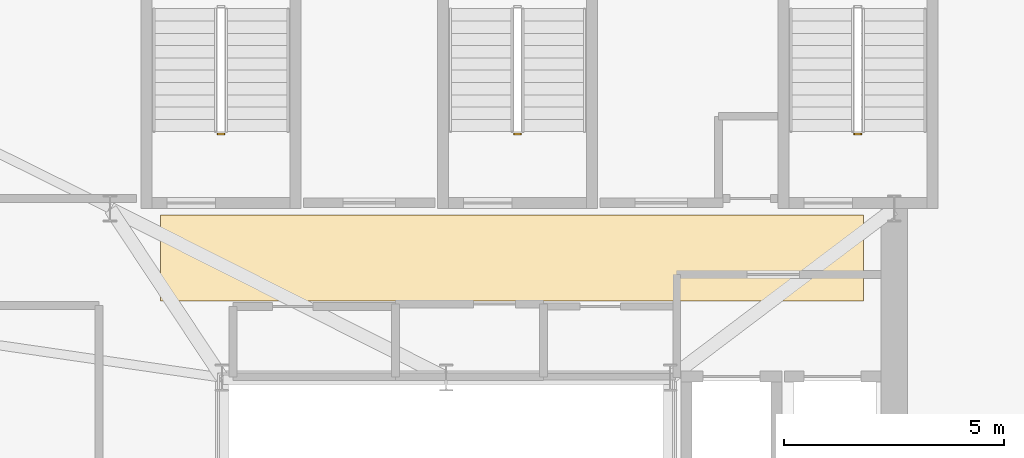
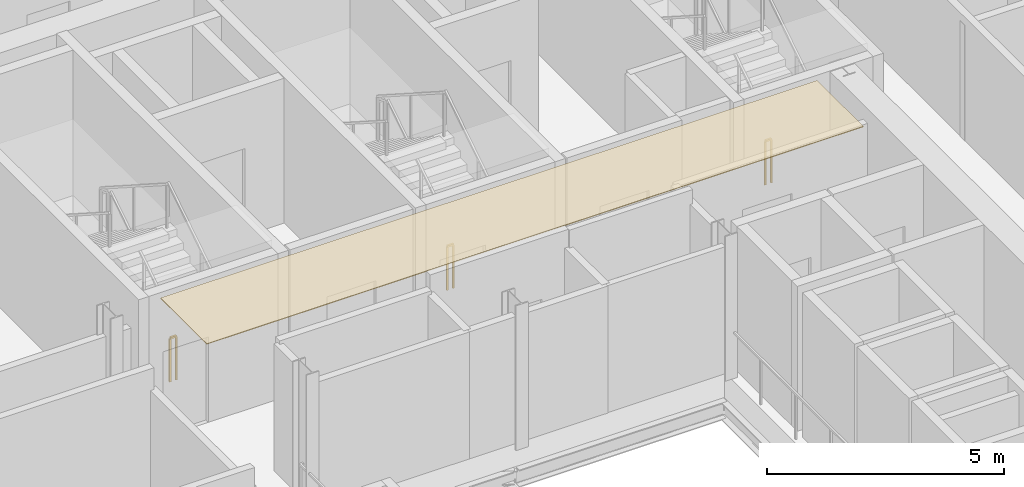
# One storey, part 13 of 15: 3 railings, 1 covering.
"""IFC4 building model written with IfcOpenShell, lengths in metres."""

import ifcopenshell
import ifcopenshell.guid

model = None  # the IFC model being written
_history = None  # IfcOwnerHistory: only IFC2X3 demands one
_inside = {}  # id of a spatial element -> (the spatial element, [elements in it])
_under = {}  # id of a project, library or spatial element -> (it, [spatial elements below it])
_declared = {}  # id of a project -> (the project, [libraries it declares])
_typed = {}  # id of a type object -> (the type object, [elements of that type])
_made_of = {}  # id of a material, layer set ... -> (it, [elements and type objects made of it])


def new_model(schema):
    """Start an empty IFC model of exactly this schema.

    Asked for "IFC4X3", IfcOpenShell would pick the latest addendum, in which some entities
    have other attributes; the version numbers below select the first issue.
    IFC2X3 requires an IfcOwnerHistory on every rooted entity: one is made here for all.
    """
    global model, _history
    if schema == "IFC4X3":
        model = ifcopenshell.file(schema_version=(4, 3, 0, 0))
    else:
        model = ifcopenshell.file(schema=schema)
    _inside.clear()
    _under.clear()
    _declared.clear()
    _typed.clear()
    _made_of.clear()
    _history = None
    if model.schema == "IFC2X3":
        org = make("IfcOrganization", Name="unknown")
        user = make(
            "IfcPersonAndOrganization",
            ThePerson=make("IfcPerson", FamilyName="unknown"),
            TheOrganization=org,
        )
        app = make(
            "IfcApplication",
            ApplicationDeveloper=org,
            Version="unknown",
            ApplicationFullName="unknown",
            ApplicationIdentifier="unknown",
        )
        _history = make(
            "IfcOwnerHistory",
            OwningUser=user,
            OwningApplication=app,
            ChangeAction="ADDED",
            CreationDate=0,
        )
    return model


def make(cls, **values):
    """One entity of the class cls with the attributes given. An attribute that is None is left unset."""
    return model.create_entity(
        cls, **{name: value for name, value in values.items() if value is not None}
    )


def rooted(cls, **values):
    """An entity with a GlobalId (a new one), such as an element, a storey or a relation."""
    return make(cls, GlobalId=ifcopenshell.guid.new(), OwnerHistory=_history, **values)


def si_unit(unit_type, name, prefix=None):
    """IfcSIUnit, for example si_unit("LENGTHUNIT", "METRE", prefix="MILLI")."""
    return make("IfcSIUnit", UnitType=unit_type, Prefix=prefix, Name=name)


def assignment(units):
    """IfcUnitAssignment: the units of a project."""
    return None if units is None else make("IfcUnitAssignment", Units=units)


def point(xyz):
    """IfcCartesianPoint."""
    return None if xyz is None else make("IfcCartesianPoint", Coordinates=xyz)


def direction(xyz):
    """IfcDirection."""
    return None if xyz is None else make("IfcDirection", DirectionRatios=xyz)


def frame(location, z_axis=None, x_axis=None):
    """IfcAxis2Placement3D, a coordinate frame: its origin and axes. An axis left out is left unset."""
    return make(
        "IfcAxis2Placement3D",
        Location=point(location),
        Axis=direction(z_axis),
        RefDirection=direction(x_axis),
    )


def frame_2d(location, x_axis=None):
    """IfcAxis2Placement2D, a coordinate frame in the plane: its origin and x axis."""
    return make(
        "IfcAxis2Placement2D", Location=point(location), RefDirection=direction(x_axis)
    )


def origin():
    """The frame at (0, 0, 0) with its axes left unset."""
    return frame((0.0, 0.0, 0.0))


def origin_2d():
    """The frame at (0, 0) in the plane with its x axis left unset."""
    return frame_2d((0.0, 0.0))


def place(relative_to, where):
    """IfcLocalPlacement: puts the frame where relative to a parent placement (None: the world)."""
    return make(
        "IfcLocalPlacement", PlacementRelTo=relative_to, RelativePlacement=where
    )


def context(
    kind, dimensions, precision=None, world=None, true_north=None, identifier=None
):
    """IfcGeometricRepresentationContext, for example the 3D "Model" context."""
    return make(
        "IfcGeometricRepresentationContext",
        ContextIdentifier=identifier,
        ContextType=kind,
        CoordinateSpaceDimension=dimensions,
        Precision=precision,
        WorldCoordinateSystem=world,
        TrueNorth=true_north,
    )


def subcontext(parent, identifier, kind, view, scale=None):
    """IfcGeometricRepresentationSubContext, for example "Body" below "Model"."""
    return make(
        "IfcGeometricRepresentationSubContext",
        ContextIdentifier=identifier,
        ContextType=kind,
        ParentContext=parent,
        TargetScale=scale,
        TargetView=view,
    )


def project(units=None, contexts=None):
    """IfcProject with its units and contexts."""
    return rooted(
        "IfcProject",
        Name="project",
        RepresentationContexts=contexts,
        UnitsInContext=assignment(units),
    )


def spatial(cls, under=None, at=None, **own):
    """A site, building, storey or space (cls), placed at a placement, below another one or the project."""
    s = rooted(cls, ObjectPlacement=at, **own)
    if under is not None:
        _under.setdefault(under.id(), (under, []))[1].append(s)
    return s


def polyline(points):
    """IfcPolyline through the points."""
    return make("IfcPolyline", Points=[point(p) for p in points])


def profile(cls, at=None, kind="AREA", **sizes):
    """A parametric profile (cls). Its sizes go by their IFC names, for example OverallWidth=200.0."""
    return make(cls, ProfileType=kind, Position=at, **sizes)


def rectangle(**sizes):
    """IfcRectangleProfileDef."""
    return profile("IfcRectangleProfileDef", **sizes)


def outline(outer, holes=None, kind="AREA"):
    """IfcArbitraryClosedProfileDef: a profile drawn as a closed curve; with holes, ...WithVoids."""
    if holes is None:
        return make("IfcArbitraryClosedProfileDef", ProfileType=kind, OuterCurve=outer)
    return make(
        "IfcArbitraryProfileDefWithVoids",
        ProfileType=kind,
        OuterCurve=outer,
        InnerCurves=holes,
    )


def extrude(swept, where, along, depth):
    """IfcExtrudedAreaSolid: the profile swept, set in the frame where, extruded along a direction by depth."""
    return make(
        "IfcExtrudedAreaSolid",
        SweptArea=swept,
        Position=where,
        ExtrudedDirection=direction(along),
        Depth=depth,
    )


def shape(context_of_items, identifier, shape_type, items):
    """IfcShapeRepresentation: the items that make up one representation, for example the "Body"."""
    return make(
        "IfcShapeRepresentation",
        ContextOfItems=context_of_items,
        RepresentationIdentifier=identifier,
        RepresentationType=shape_type,
        Items=items,
    )


def source(mapping_origin, context_of_items, identifier, shape_type, items):
    """IfcRepresentationMap: a shape defined once, which mapped items show again and again."""
    return make(
        "IfcRepresentationMap",
        MappingOrigin=mapping_origin,
        MappedRepresentation=shape(context_of_items, identifier, shape_type, items),
    )


def transform(
    local_origin,
    x_axis=None,
    y_axis=None,
    z_axis=None,
    scale=None,
    scale2=None,
    scale3=None,
    uniform=True,
):
    """IfcCartesianTransformationOperator3D, or its non-uniform kind. x_axis, y_axis, z_axis: its Axis1, 2, 3."""
    if uniform:
        return make(
            "IfcCartesianTransformationOperator3D",
            Axis1=direction(x_axis),
            Axis2=direction(y_axis),
            LocalOrigin=point(local_origin),
            Scale=scale,
            Axis3=direction(z_axis),
        )
    return make(
        "IfcCartesianTransformationOperator3DnonUniform",
        Axis1=direction(x_axis),
        Axis2=direction(y_axis),
        LocalOrigin=point(local_origin),
        Scale=scale,
        Axis3=direction(z_axis),
        Scale2=scale2,
        Scale3=scale3,
    )


def mapped(mapping_source, mapping_target):
    """IfcMappedItem: shows the shape of a source again, moved by a transform."""
    return make(
        "IfcMappedItem", MappingSource=mapping_source, MappingTarget=mapping_target
    )


def material(Name=None, Category=None):
    """IfcMaterial."""
    return make("IfcMaterial", Name=Name, Category=Category)


def layer(
    of_material, thickness, ventilated=None, Name=None, Category=None, Priority=None
):
    """IfcMaterialLayer: one layer of a wall or slab, of a material (None: an air gap)."""
    return make(
        "IfcMaterialLayer",
        Material=of_material,
        LayerThickness=thickness,
        IsVentilated=ventilated,
        Name=Name,
        Category=Category,
        Priority=Priority,
    )


def layer_set(layers, Name=None):
    """IfcMaterialLayerSet."""
    return make("IfcMaterialLayerSet", MaterialLayers=layers, LayerSetName=Name)


def made_of(thing, what):
    """Note that an element or type object is made of a material, layer set ...; save() writes the relation."""
    if what is not None:
        _made_of.setdefault(what.id(), (what, []))[1].append(thing)
    return thing


def type_object(cls, material=None, **own):
    """A type object (cls), such as IfcWallType, which elements share."""
    return made_of(rooted(cls, **own), material)


def element(
    cls,
    number,
    at=None,
    inside=None,
    cuts=None,
    type_object=None,
    material=None,
    context=None,
    identifier="Body",
    shape_type=None,
    held_by="IfcProductDefinitionShape",
    body=None,
    shapes=None,
    **own,
):
    """One element of the class cls, such as IfcWall. Its Tag is "e" and its number.

    at: its placement. inside: the storey or other place that contains it. cuts: it is an
    opening in that element (IfcRelVoidsElement). A single representation is given by context,
    identifier, shape_type and body (its items); several are given by shapes. held_by: the class
    of the entity that holds the representations. save() writes the other relations.
    """
    e = rooted(cls, Tag="e%d" % number, ObjectPlacement=at, **own)
    if body is not None:
        shapes = [shape(context, identifier, shape_type, body)]
    if shapes is not None:
        e.Representation = make(held_by, Representations=shapes)
    if inside is not None:
        _inside.setdefault(inside.id(), (inside, []))[1].append(e)
    if cuts is not None:
        rooted(
            "IfcRelVoidsElement", RelatingBuildingElement=cuts, RelatedOpeningElement=e
        )
    if type_object is not None:
        _typed.setdefault(type_object.id(), (type_object, []))[1].append(e)
    return made_of(e, material)


def aggregate(whole, parts):
    """IfcRelAggregates: a whole, such as a stair, and the parts it consists of."""
    return rooted("IfcRelAggregates", RelatingObject=whole, RelatedObjects=parts)


def save(model, path):
    """Write the relations noted so far, then the file.

    IfcRelAggregates (storeys below a building ...), IfcRelContainedInSpatialStructure (elements
    in a storey), IfcRelDefinesByType, IfcRelAssociatesMaterial and IfcRelDeclares: one each for
    every whole, place, type object, material and project.
    """
    for whole, parts in _under.values():
        aggregate(whole, parts)
    for where, things in _inside.values():
        rooted(
            "IfcRelContainedInSpatialStructure",
            RelatedElements=things,
            RelatingStructure=where,
        )
    for kind, things in _typed.values():
        rooted("IfcRelDefinesByType", RelatedObjects=things, RelatingType=kind)
    for what, things in _made_of.values():
        rooted("IfcRelAssociatesMaterial", RelatedObjects=things, RelatingMaterial=what)
    for by, libraries in _declared.values():
        rooted("IfcRelDeclares", RelatingContext=by, RelatedDefinitions=libraries)
    model.write(path)


model = new_model("IFC4")

# Units and contexts
model_context = context("Model", 3, precision=1e-05, world=origin(), true_north=direction((0.0, 1.0)))
body_context = subcontext(model_context, "Body", "Model", "MODEL_VIEW")
ifc_project = project(units=[si_unit("LENGTHUNIT", "METRE"), si_unit("AREAUNIT", "SQUARE_METRE"), si_unit("VOLUMEUNIT", "CUBIC_METRE"), si_unit("PLANEANGLEUNIT", "RADIAN"), si_unit("MASSUNIT", "GRAM", prefix="KILO")], contexts=[model_context])

# Site, building, storey
site_placement = place(None, origin())
site = spatial("IfcSite", under=ifc_project, at=site_placement, CompositionType="ELEMENT")
building_placement = place(site_placement, origin())
building = spatial("IfcBuilding", under=site, at=building_placement, Name="Vardaveli Station Tower", CompositionType="ELEMENT")
storey_placement = place(building_placement, frame((0.0, 0.0, 242.699951171875)))
storey = spatial("IfcBuildingStorey", under=building, at=storey_placement, Name="L62", CompositionType="ELEMENT", Elevation=242.699951171875)

# Covering
ifc_material_1 = material(Name="Perforated acoustic mineral ceiling")
ifc_layer = layer(ifc_material_1, 0.02001953125, Name="Perforated acoustic mineral ceiling")
ifc_layer_set = layer_set([ifc_layer], Name="Perforated acoustic mineral ceiling")
covering_type = type_object("IfcCoveringType", Name="COV-CEIL-AC20", PredefinedType="CEILING", material=ifc_layer_set)
covering_placement = place(storey_placement, frame((0.0, 0.0, 3.715087890625)))
element("IfcCovering", 1, at=covering_placement, inside=storey, type_object=covering_type, Name="CEIL-L62-6", PredefinedType="CEILING", context=body_context, shape_type="SweptSolid", body=[
    extrude(outline(polyline([(29.800048828125, 28.550048828125), (45.800048828125, 28.550048828125), (45.800048828125, 30.5), (29.800048828125, 30.5), (29.800048828125, 28.550048828125)])), origin(), (0.0, 0.0, 1.0), 0.02001953125),
])

# Railings
ifc_material_2 = material(Name="Brushed AISI 316 stainless steel", Category="steel")
railing_type = type_object("IfcRailingType", Name="RL-GUARD-1150", PredefinedType="GUARDRAIL", material=ifc_material_2)
shared_shape = source(origin(), body_context, "Body", "SweptSolid", [
    extrude(rectangle(XDim=0.048095703125, YDim=0.048095703125, at=origin_2d()), frame((0.0, 0.0, 1.1259765625), z_axis=(-1.0, 0.0, 0.0), x_axis=(0.0, -1.0, 0.0)), (0.0, 0.0, 1.0), 0.14990234375),
    extrude(rectangle(XDim=0.0419921875, YDim=0.0419921875, at=origin_2d()), origin(), (0.0, 0.0, 1.0), 1.101806640625),
    extrude(rectangle(XDim=0.0419921875, YDim=0.0419921875, at=origin_2d()), frame((-0.14990234375, 0.0, 0.0)), (0.0, 0.0, 1.0), 1.101806640625),
])
for number, where, name in (
    (2, (31.25, 32.35009765625, 0.0), "L62 ST-1 stair guard 4"),
    (3, (38.0, 32.35009765625, 0.0), "L62 ST-2 stair guard 4"),
    (4, (45.75, 32.35009765625, 0.0), "L62 ST-3 stair guard 4"),
):
    element("IfcRailing", number, at=place(storey_placement, frame(where)), inside=storey, type_object=railing_type, Name=name, PredefinedType="GUARDRAIL", context=body_context, shape_type="MappedRepresentation", body=[
        mapped(shared_shape, transform((0.0, 0.0, 0.0), scale=1.0)),
    ])

save(model, "model.ifc")
